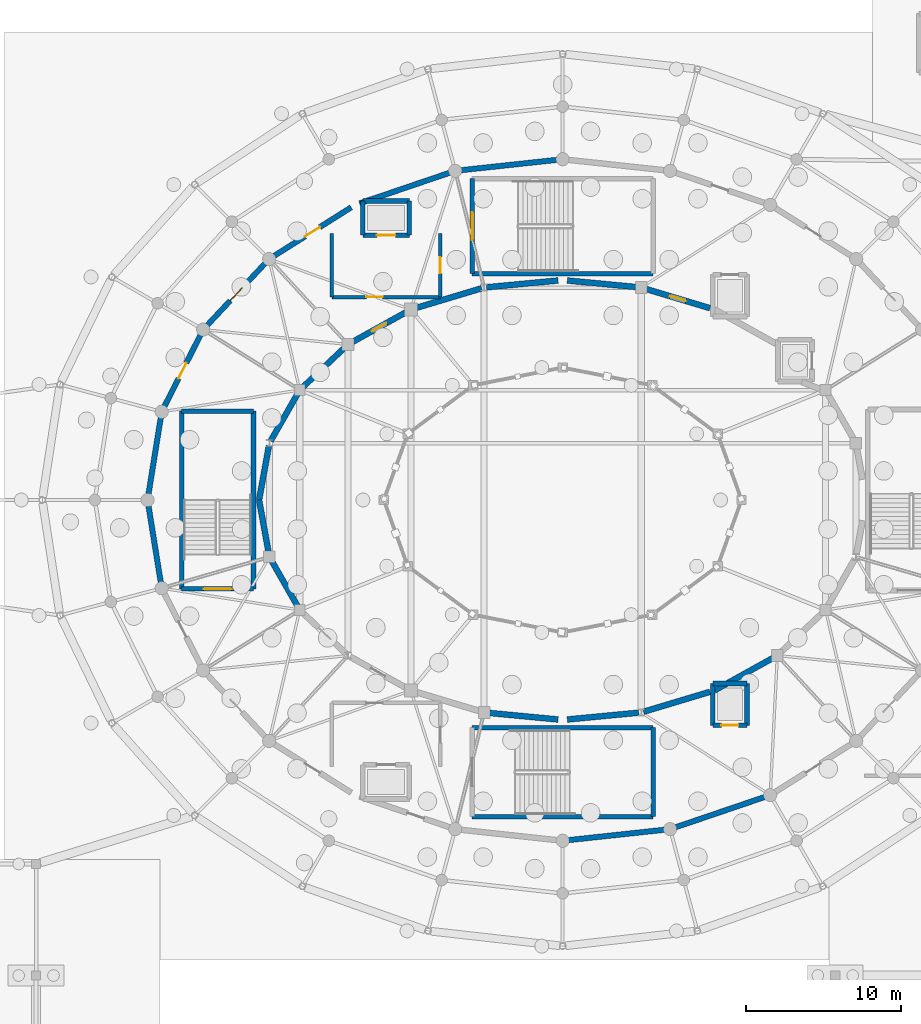
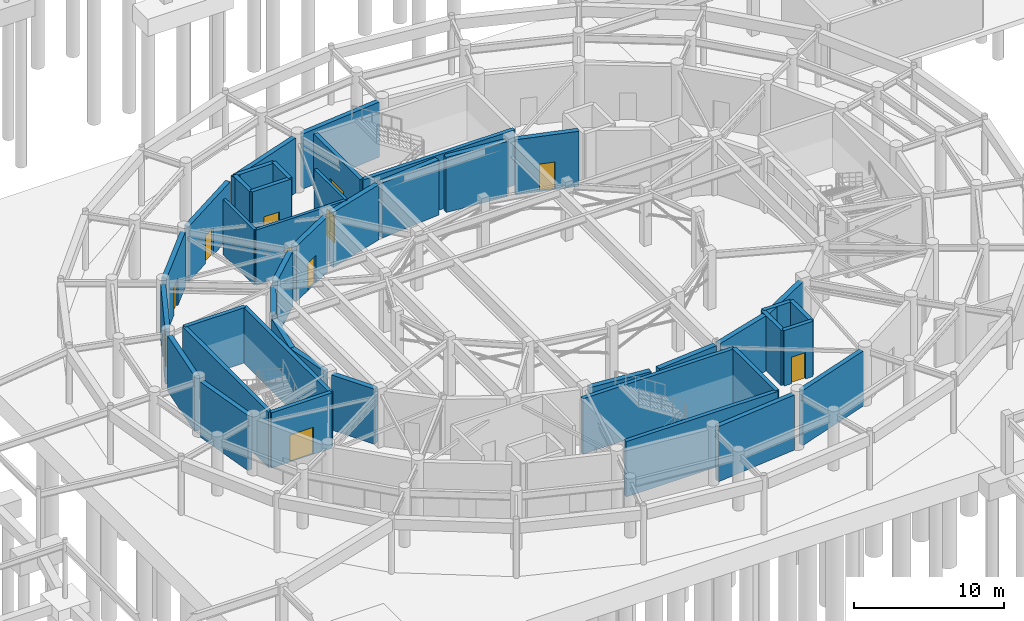
# One storey, part 38 of 68: 43 walls, 11 doors, 11 openings.
"""IFC4 building model written with IfcOpenShell, lengths in metres."""

from ifc_helpers import new_model, si_unit, direction, frame, frame_2d, origin, place, context, subcontext, project, spatial, rectangle, extrude, material, layer, layer_set, type_object, element, fill, save


model = new_model("IFC4")

# Units and contexts
model_context = context("Model", 3, precision=1e-05, world=origin(), true_north=direction((0.0, 1.0)))
body_context = subcontext(model_context, "Body", "Model", "MODEL_VIEW")
ifc_project = project(units=[si_unit("LENGTHUNIT", "METRE"), si_unit("AREAUNIT", "SQUARE_METRE"), si_unit("VOLUMEUNIT", "CUBIC_METRE"), si_unit("PLANEANGLEUNIT", "RADIAN"), si_unit("MASSUNIT", "GRAM", prefix="KILO")], contexts=[model_context])

# Site, building, storey
site_placement = place(None, origin())
site = spatial("IfcSite", under=ifc_project, at=site_placement, CompositionType="ELEMENT")
building_placement = place(site_placement, origin())
building = spatial("IfcBuilding", under=site, at=building_placement, Name="Cinderbank Siding Concert Hall", CompositionType="ELEMENT")
storey_placement = place(building_placement, frame((0.0, 0.0, -4.800048828125)))
storey = spatial("IfcBuildingStorey", under=building, at=storey_placement, Name="B1", CompositionType="ELEMENT", Elevation=-4.800048828125)

# Wall, opening, door
ifc_material_1 = material(Name="Reinforced concrete AS 3600 N50 (50 MPa)", Category="concrete")
ifc_layer_1 = layer(ifc_material_1, 0.3798828125)
ifc_layer_set_1 = layer_set([ifc_layer_1], Name="Reinforced concrete AS 3600 N50 (50 MPa)")
wall_type_1 = type_object("IfcWallType", Name="WL-01 Structural Wall 380mm", PredefinedType="SOLIDWALL", material=ifc_layer_set_1)
wall_1_placement = place(storey_placement, frame((131.5126953125, 56.3837890625, 0.0), z_axis=(0.0, 0.0, 1.0), x_axis=(-0.95780608713, 0.287415203941, 0.0)))
wall_1 = element("IfcWall", 1, at=wall_1_placement, inside=storey, type_object=wall_type_1, Name="B1 Structural Wall SW-E1-B1-05", PredefinedType="SOLIDWALL", context=body_context, shape_type="SweptSolid", body=[
    extrude(rectangle(XDim=4.325439453125, YDim=0.3798828125, at=frame_2d((2.16259765625, 0.0))), origin(), (0.0, 0.0, 1.0), 4.47998046875),
])
opening_1_placement = place(wall_1_placement, frame((1.6328125, 0.0, 0.0)))
opening_1 = element("IfcOpeningElement", 2, at=opening_1_placement, cuts=wall_1, Name="Opening D-18", PredefinedType="OPENING", context=body_context, shape_type="SweptSolid", body=[
    extrude(rectangle(XDim=1.06005859375, YDim=2.239990234375, at=frame_2d((0.530029296875, 1.1201171875))), frame((0.0, 0.201904296875, 0.0), z_axis=(0.0, -1.0, 0.0), x_axis=(1.0, 0.0, 0.0)), (0.0, 0.0, 1.0), 0.40380859375),
])
ifc_material_2 = material(Name="Solid-core spotted gum acoustic timber", Category="wood")
door_type_1 = type_object("IfcDoorType", Name="D-18 Interior Door 1060x2240", OperationType="NOTDEFINED", PredefinedType="DOOR", material=ifc_material_2)
door_1_placement = place(opening_1_placement, origin())
door_1 = element("IfcDoor", 3, at=door_1_placement, inside=storey, type_object=door_type_1, Name="B1 Auditorium Sound-Lock Door B1-D101", OperationType="SINGLE_SWING_RIGHT", OverallHeight=2.239990234375, OverallWidth=1.06005859375, PredefinedType="DOOR", context=body_context, shape_type="SweptSolid", body=[
    extrude(rectangle(XDim=1.06005859375, YDim=2.239990234375, at=frame_2d((0.530029296875, 1.1201171875))), frame((0.0, 0.02490234375, 0.0), z_axis=(0.0, -1.0, 0.0), x_axis=(1.0, 0.0, 0.0)), (0.0, 0.0, 1.0), 0.050048828125),
])
fill(opening_1, door_1)

# Walls
wall_2_placement = place(storey_placement, frame((126.764404296875, 57.74560546875, 0.0), z_axis=(0.0, 0.0, 1.0), x_axis=(-0.995485683578, 0.094911821133, 0.0)))
element("IfcWall", 4, at=wall_2_placement, inside=storey, type_object=wall_type_1, Name="B1 Structural Wall SW-E1-B1-06", PredefinedType="SOLIDWALL", context=body_context, shape_type="SweptSolid", body=[
    extrude(rectangle(XDim=4.486083984375, YDim=0.3798828125, at=frame_2d((2.2431640625, 0.0))), origin(), (0.0, 0.0, 1.0), 4.47998046875),
])
wall_3_placement = place(storey_placement, frame((121.701416015625, 58.17138671875, 0.0), z_axis=(0.0, 0.0, 1.0), x_axis=(-0.995481971411, -0.094950748265, 0.0)))
element("IfcWall", 5, at=wall_3_placement, inside=storey, type_object=wall_type_1, Name="B1 Structural Wall SW-E1-B1-07", PredefinedType="SOLIDWALL", context=body_context, shape_type="SweptSolid", body=[
    extrude(rectangle(XDim=4.635986328125, YDim=0.3798828125, at=frame_2d((2.31787109375, 0.0))), origin(), (0.0, 0.0, 1.0), 4.47998046875),
])
wall_4_placement = place(storey_placement, frame((116.77392578125, 57.670166015625, 0.0), z_axis=(0.0, 0.0, 1.0), x_axis=(-0.957804976592, -0.287418904764, 0.0)))
element("IfcWall", 6, at=wall_4_placement, inside=storey, type_object=wall_type_1, Name="B1 Structural Wall SW-E1-B1-08", PredefinedType="SOLIDWALL", context=body_context, shape_type="SweptSolid", body=[
    extrude(rectangle(XDim=4.415283203125, YDim=0.3798828125, at=frame_2d((2.20751953125, 0.0))), origin(), (0.0, 0.0, 1.0), 4.47998046875),
])

# Wall, opening, door
wall_5_placement = place(storey_placement, frame((111.885498046875, 56.122802734375, 0.0), z_axis=(0.0, 0.0, 1.0), x_axis=(-0.874000773635, -0.485924528795, 0.0)))
wall_5 = element("IfcWall", 7, at=wall_5_placement, inside=storey, type_object=wall_type_1, Name="B1 Structural Wall SW-E1-B1-09", PredefinedType="SOLIDWALL", context=body_context, shape_type="SweptSolid", body=[
    extrude(rectangle(XDim=3.974609375, YDim=0.3798828125, at=frame_2d((1.9873046875, 0.0))), origin(), (0.0, 0.0, 1.0), 4.47998046875),
])
opening_2_placement = place(wall_5_placement, frame((1.457275390625, 0.0, 0.0)))
opening_2 = element("IfcOpeningElement", 8, at=opening_2_placement, cuts=wall_5, Name="Opening D-18", PredefinedType="OPENING", context=body_context, shape_type="SweptSolid", body=[
    extrude(rectangle(XDim=1.06005859375, YDim=2.239990234375, at=frame_2d((0.530029296875, 1.1201171875))), frame((0.0, 0.201904296875, 0.0), z_axis=(0.0, -1.0, 0.0), x_axis=(1.0, 0.0, 0.0)), (0.0, 0.0, 1.0), 0.40380859375),
])
door_2_placement = place(opening_2_placement, origin())
door_2 = element("IfcDoor", 9, at=door_2_placement, inside=storey, type_object=door_type_1, Name="B1 Auditorium Sound-Lock Door B1-D102", OperationType="SINGLE_SWING_LEFT", OverallHeight=2.239990234375, OverallWidth=1.06005859375, PredefinedType="DOOR", context=body_context, shape_type="SweptSolid", body=[
    extrude(rectangle(XDim=1.06005859375, YDim=2.239990234375, at=frame_2d((0.530029296875, 1.1201171875))), frame((0.0, 0.02490234375, 0.0), z_axis=(0.0, -1.0, 0.0), x_axis=(1.0, 0.0, 0.0)), (0.0, 0.0, 1.0), 0.050048828125),
])
fill(opening_2, door_2)

# Walls
wall_6_placement = place(storey_placement, frame((107.915283203125, 53.828125, 0.0), z_axis=(0.0, 0.0, 1.0), x_axis=(-0.727101248405, -0.68653024301, 0.0)))
element("IfcWall", 10, at=wall_6_placement, inside=storey, type_object=wall_type_1, Name="B1 Structural Wall SW-E1-B1-10", PredefinedType="SOLIDWALL", context=body_context, shape_type="SweptSolid", body=[
    extrude(rectangle(XDim=3.688720703125, YDim=0.3798828125, at=frame_2d((1.84423828125, 0.0))), origin(), (0.0, 0.0, 1.0), 4.47998046875),
])
wall_7_placement = place(storey_placement, frame((104.884521484375, 50.8525390625, 0.0), z_axis=(0.0, 0.0, 1.0), x_axis=(-0.496379307123, -0.8681057444, 0.0)))
element("IfcWall", 11, at=wall_7_placement, inside=storey, type_object=wall_type_1, Name="B1 Structural Wall SW-E1-B1-11", PredefinedType="SOLIDWALL", context=body_context, shape_type="SweptSolid", body=[
    extrude(rectangle(XDim=3.5, YDim=0.3798828125, at=frame_2d((1.75, 0.0))), origin(), (0.0, 0.0, 1.0), 4.47998046875),
])
wall_8_placement = place(storey_placement, frame((103.039306640625, 47.517822265625, 0.0), z_axis=(0.0, 0.0, 1.0), x_axis=(-0.178831358344, -0.983879741266, 0.0)))
element("IfcWall", 12, at=wall_8_placement, inside=storey, type_object=wall_type_1, Name="B1 Structural Wall SW-E1-B1-12", PredefinedType="SOLIDWALL", context=body_context, shape_type="SweptSolid", body=[
    extrude(rectangle(XDim=3.575439453125, YDim=0.3798828125, at=frame_2d((1.78759765625, 0.0))), origin(), (0.0, 0.0, 1.0), 4.47998046875),
])
wall_9_placement = place(storey_placement, frame((102.39990234375, 44.0, 0.0), z_axis=(0.0, 0.0, 1.0), x_axis=(0.178828988101, -0.983880172081, 0.0)))
element("IfcWall", 13, at=wall_9_placement, inside=storey, type_object=wall_type_1, Name="B1 Structural Wall SW-E1-B1-13", PredefinedType="SOLIDWALL", context=body_context, shape_type="SweptSolid", body=[
    extrude(rectangle(XDim=3.42529296875, YDim=0.3798828125, at=frame_2d((1.712646484375, 0.0))), origin(), (0.0, 0.0, 1.0), 4.47998046875),
])
wall_10_placement = place(storey_placement, frame((103.2216796875, 40.0556640625, 0.0), z_axis=(0.0, 0.0, 1.0), x_axis=(0.496366522372, -0.868113054543, 0.0)))
element("IfcWall", 14, at=wall_10_placement, inside=storey, type_object=wall_type_1, Name="B1 Structural Wall SW-E1-B1-14", PredefinedType="SOLIDWALL", context=body_context, shape_type="SweptSolid", body=[
    extrude(rectangle(XDim=3.35009765625, YDim=0.3798828125, at=frame_2d((1.675048828125, 0.0))), origin(), (0.0, 0.0, 1.0), 4.47998046875),
])
wall_11_placement = place(storey_placement, frame((117.235595703125, 30.25439453125, 0.0), z_axis=(0.0, 0.0, 1.0), x_axis=(0.995485683578, -0.094911821133, 0.0)))
element("IfcWall", 15, at=wall_11_placement, inside=storey, type_object=wall_type_1, Name="B1 Structural Wall SW-E1-B1-18", PredefinedType="SOLIDWALL", context=body_context, shape_type="SweptSolid", body=[
    extrude(rectangle(XDim=4.486083984375, YDim=0.3798828125, at=frame_2d((2.2431640625, 0.0))), origin(), (0.0, 0.0, 1.0), 4.47998046875),
])
wall_12_placement = place(storey_placement, frame((122.298583984375, 29.82861328125, 0.0), z_axis=(0.0, 0.0, 1.0), x_axis=(0.995481971411, 0.094950748265, 0.0)))
element("IfcWall", 16, at=wall_12_placement, inside=storey, type_object=wall_type_1, Name="B1 Structural Wall SW-E1-B1-19", PredefinedType="SOLIDWALL", context=body_context, shape_type="SweptSolid", body=[
    extrude(rectangle(XDim=4.635986328125, YDim=0.3798828125, at=frame_2d((2.31787109375, 0.0))), origin(), (0.0, 0.0, 1.0), 4.47998046875),
])
wall_13_placement = place(storey_placement, frame((127.22607421875, 30.329833984375, 0.0), z_axis=(0.0, 0.0, 1.0), x_axis=(0.957802259521, 0.287427959074, 0.0)))
element("IfcWall", 17, at=wall_13_placement, inside=storey, type_object=wall_type_1, Name="B1 Structural Wall SW-E1-B1-20", PredefinedType="SOLIDWALL", context=body_context, shape_type="SweptSolid", body=[
    extrude(rectangle(XDim=4.4755859375, YDim=0.3798828125, at=frame_2d((2.23779296875, 0.0))), origin(), (0.0, 0.0, 1.0), 4.47998046875),
])
wall_14_placement = place(storey_placement, frame((131.800048828125, 31.702392578125, 0.0), z_axis=(0.0, 0.0, 1.0), x_axis=(0.874003133987, 0.48592028336, 0.0)))
element("IfcWall", 18, at=wall_14_placement, inside=storey, type_object=wall_type_1, Name="B1 Structural Wall SW-E1-B1-21", PredefinedType="SOLIDWALL", context=body_context, shape_type="SweptSolid", body=[
    extrude(rectangle(XDim=4.33447265625, YDim=0.3798828125, at=frame_2d((2.167236328125, 0.0))), origin(), (0.0, 0.0, 1.0), 4.47998046875),
])
ifc_layer_2 = layer(ifc_material_1, 0.35009765625)
ifc_layer_set_2 = layer_set([ifc_layer_2], Name="Reinforced concrete AS 3600 N50 (50 MPa)")
wall_type_2 = type_object("IfcWallType", Name="WL-02 Structural Wall 350mm", PredefinedType="SHEAR", material=ifc_layer_set_2)
wall_15_placement = place(storey_placement, frame((121.64208984375, 65.961181640625, 0.0), z_axis=(0.0, 0.0, 1.0), x_axis=(-0.994213694453, -0.107420341477, 0.0)))
element("IfcWall", 19, at=wall_15_placement, inside=storey, type_object=wall_type_2, Name="B1 Structural Wall SW-E2-B1-07", PredefinedType="SHEAR", context=body_context, shape_type="SweptSolid", body=[
    extrude(rectangle(XDim=6.2568359375, YDim=0.35009765625, at=frame_2d((3.12841796875, 0.0))), origin(), (0.0, 0.0, 1.0), 4.47998046875),
])
wall_16_placement = place(storey_placement, frame((114.722900390625, 65.134521484375, 0.0), z_axis=(0.0, 0.0, 1.0), x_axis=(-0.946765988255, -0.321922604804, 0.0)))
element("IfcWall", 20, at=wall_16_placement, inside=storey, type_object=wall_type_2, Name="B1 Structural Wall SW-E2-B1-08", PredefinedType="SHEAR", context=body_context, shape_type="SweptSolid", body=[
    extrude(rectangle(XDim=6.167236328125, YDim=0.35009765625, at=frame_2d((3.08349609375, 0.0))), origin(), (0.0, 0.0, 1.0), 4.47998046875),
])

# Wall, opening, door
wall_17_placement = place(storey_placement, frame((108.34619140625, 62.892578125, 0.0), z_axis=(0.0, 0.0, 1.0), x_axis=(-0.846151979506, -0.532941673712, 0.0)))
wall_17 = element("IfcWall", 21, at=wall_17_placement, inside=storey, type_object=wall_type_2, Name="B1 Structural Wall SW-E2-B1-09", PredefinedType="SHEAR", context=body_context, shape_type="SweptSolid", body=[
    extrude(rectangle(XDim=5.89990234375, YDim=0.35009765625, at=frame_2d((2.949951171875, 0.0))), origin(), (0.0, 0.0, 1.0), 4.47998046875),
])
opening_3_placement = place(wall_17_placement, frame((2.389892578125, 0.0, 0.0)))
opening_3 = element("IfcOpeningElement", 22, at=opening_3_placement, cuts=wall_17, Name="Opening D-19", PredefinedType="OPENING", context=body_context, shape_type="SweptSolid", body=[
    extrude(rectangle(XDim=1.1201171875, YDim=2.260009765625, at=frame_2d((0.56005859375, 1.1298828125))), frame((0.0, 0.18701171875, 0.0), z_axis=(0.0, -1.0, 0.0), x_axis=(1.0, 0.0, 0.0)), (0.0, 0.0, 1.0), 0.3740234375),
])
door_type_2 = type_object("IfcDoorType", Name="D-19 Interior Door 1120x2260", OperationType="NOTDEFINED", PredefinedType="DOOR", material=ifc_material_2)
door_3_placement = place(opening_3_placement, origin())
door_3 = element("IfcDoor", 23, at=door_3_placement, inside=storey, type_object=door_type_2, Name="B1 Auditorium Sound-Lock Door B1-D109", OperationType="SINGLE_SWING_RIGHT", OverallHeight=2.260009765625, OverallWidth=1.1201171875, PredefinedType="DOOR", context=body_context, shape_type="SweptSolid", body=[
    extrude(rectangle(XDim=1.1201171875, YDim=2.260009765625, at=frame_2d((0.56005859375, 1.1298828125))), frame((0.0, 0.02490234375, 0.0), z_axis=(0.0, -1.0, 0.0), x_axis=(1.0, 0.0, 0.0)), (0.0, 0.0, 1.0), 0.050048828125),
])
fill(opening_3, door_3)

wall_18_placement = place(storey_placement, frame((102.8037109375, 59.293212890625, 0.0), z_axis=(0.0, 0.0, 1.0), x_axis=(-0.682874636689, -0.730535577893, 0.0)))
wall_18 = element("IfcWall", 24, at=wall_18_placement, inside=storey, type_object=wall_type_2, Name="B1 Structural Wall SW-E2-B1-10", PredefinedType="SHEAR", context=body_context, shape_type="SweptSolid", body=[
    extrude(rectangle(XDim=5.516845703125, YDim=0.35009765625, at=frame_2d((2.75830078125, 0.0))), origin(), (0.0, 0.0, 1.0), 4.47998046875),
])
opening_4_placement = place(wall_18_placement, frame((2.198486328125, 0.0, 0.0)))
opening_4 = element("IfcOpeningElement", 25, at=opening_4_placement, cuts=wall_18, Name="Opening D-19", PredefinedType="OPENING", context=body_context, shape_type="SweptSolid", body=[
    extrude(rectangle(XDim=1.1201171875, YDim=2.260009765625, at=frame_2d((0.56005859375, 1.1298828125))), frame((0.0, 0.18701171875, 0.0), z_axis=(0.0, -1.0, 0.0), x_axis=(1.0, 0.0, 0.0)), (0.0, 0.0, 1.0), 0.3740234375),
])
door_4_placement = place(opening_4_placement, origin())
door_4 = element("IfcDoor", 26, at=door_4_placement, inside=storey, type_object=door_type_2, Name="B1 Auditorium Sound-Lock Door B1-D110", OperationType="SINGLE_SWING_LEFT", OverallHeight=2.260009765625, OverallWidth=1.1201171875, PredefinedType="DOOR", context=body_context, shape_type="SweptSolid", body=[
    extrude(rectangle(XDim=1.1201171875, YDim=2.260009765625, at=frame_2d((0.56005859375, 1.1298828125))), frame((0.0, 0.02490234375, 0.0), z_axis=(0.0, -1.0, 0.0), x_axis=(1.0, 0.0, 0.0)), (0.0, 0.0, 1.0), 0.050048828125),
])
fill(opening_4, door_4)

wall_19_placement = place(storey_placement, frame((98.62841796875, 54.6787109375, 0.0), z_axis=(0.0, 0.0, 1.0), x_axis=(-0.450482420117, -0.892785298471, 0.0)))
wall_19 = element("IfcWall", 27, at=wall_19_placement, inside=storey, type_object=wall_type_2, Name="B1 Structural Wall SW-E2-B1-11", PredefinedType="SHEAR", context=body_context, shape_type="SweptSolid", body=[
    extrude(rectangle(XDim=5.223388671875, YDim=0.35009765625, at=frame_2d((2.61181640625, 0.0))), origin(), (0.0, 0.0, 1.0), 4.47998046875),
])
opening_5_placement = place(wall_19_placement, frame((2.051513671875, 0.0, 0.0)))
opening_5 = element("IfcOpeningElement", 28, at=opening_5_placement, cuts=wall_19, Name="Opening D-19", PredefinedType="OPENING", context=body_context, shape_type="SweptSolid", body=[
    extrude(rectangle(XDim=1.1201171875, YDim=2.260009765625, at=frame_2d((0.56005859375, 1.1298828125))), frame((0.0, 0.18701171875, 0.0), z_axis=(0.0, -1.0, 0.0), x_axis=(1.0, 0.0, 0.0)), (0.0, 0.0, 1.0), 0.3740234375),
])
door_5_placement = place(opening_5_placement, origin())
door_5 = element("IfcDoor", 29, at=door_5_placement, inside=storey, type_object=door_type_2, Name="B1 Auditorium Sound-Lock Door B1-D111", OperationType="SINGLE_SWING_RIGHT", OverallHeight=2.260009765625, OverallWidth=1.1201171875, PredefinedType="DOOR", context=body_context, shape_type="SweptSolid", body=[
    extrude(rectangle(XDim=1.1201171875, YDim=2.260009765625, at=frame_2d((0.56005859375, 1.1298828125))), frame((0.0, 0.02490234375, 0.0), z_axis=(0.0, -1.0, 0.0), x_axis=(1.0, 0.0, 0.0)), (0.0, 0.0, 1.0), 0.050048828125),
])
fill(opening_5, door_5)

# Walls
for number, where, z_axis, x_axis, name in (
    (30, (96.05615234375, 49.33837890625, 0.0), (0.0, 0.0, 1.0), (-0.158339548841, -0.987384721004, 0.0), "B1 Structural Wall SW-E2-B1-12"),
    (31, (95.257080078125, 43.64453125, 0.0), (0.0, 0.0, 1.0), (0.158339548841, -0.987384721004, 0.0), "B1 Structural Wall SW-E2-B1-13"),
):
    element("IfcWall", number, at=place(storey_placement, frame(where, z_axis=z_axis, x_axis=x_axis)), inside=storey, type_object=wall_type_2, Name=name, PredefinedType="SHEAR", context=body_context, shape_type="SweptSolid", body=[
        extrude(rectangle(XDim=5.046630859375, YDim=0.35009765625, at=frame_2d((2.5234375, 0.0))), origin(), (0.0, 0.0, 1.0), 4.47998046875),
    ])
wall_20_placement = place(storey_placement, frame((122.35791015625, 22.038818359375, 0.0), z_axis=(0.0, 0.0, 1.0), x_axis=(0.994213694453, 0.107420341477, 0.0)))
element("IfcWall", 32, at=wall_20_placement, inside=storey, type_object=wall_type_2, Name="B1 Structural Wall SW-E2-B1-19", PredefinedType="SHEAR", context=body_context, shape_type="SweptSolid", body=[
    extrude(rectangle(XDim=6.2568359375, YDim=0.35009765625, at=frame_2d((3.12841796875, 0.0))), origin(), (0.0, 0.0, 1.0), 4.47998046875),
])
wall_21_placement = place(storey_placement, frame((129.277099609375, 22.865478515625, 0.0), z_axis=(0.0, 0.0, 1.0), x_axis=(0.946763241211, 0.321930683675, 0.0)))
element("IfcWall", 33, at=wall_21_placement, inside=storey, type_object=wall_type_2, Name="B1 Structural Wall SW-E2-B1-20", PredefinedType="SHEAR", context=body_context, shape_type="SweptSolid", body=[
    extrude(rectangle(XDim=6.107177734375, YDim=0.35009765625, at=frame_2d((3.0537109375, 0.0))), origin(), (0.0, 0.0, 1.0), 4.47998046875),
])

# Wall, opening, door
ifc_layer_3 = layer(ifc_material_1, 0.300048828125)
ifc_layer_set_3 = layer_set([ifc_layer_3], Name="Reinforced concrete AS 3600 N50 (50 MPa)")
wall_type_3 = type_object("IfcWallType", Name="WL-03 Structural Wall 300mm", PredefinedType="SHEAR", material=ifc_layer_set_3)
wall_22_placement = place(storey_placement, frame((116.159912109375, 58.610107421875, 0.0), z_axis=(0.0, 0.0, 1.0), x_axis=(0.0, 1.0, 0.0)))
wall_22 = element("IfcWall", 34, at=wall_22_placement, inside=storey, type_object=wall_type_3, Name="B1 ST-01 Core Wall ENTRY", PredefinedType="SHEAR", context=body_context, shape_type="SweptSolid", body=[
    extrude(rectangle(XDim=6.139892578125, YDim=0.300048828125, at=frame_2d((3.06982421875, 0.0))), origin(), (0.0, 0.0, 1.0), 4.5),
])
opening_6_placement = place(wall_22_placement, frame((2.169921875, 0.0, 0.0)))
opening_6 = element("IfcOpeningElement", 35, at=opening_6_placement, cuts=wall_22, Name="Opening D-05", PredefinedType="OPENING", context=body_context, shape_type="SweptSolid", body=[
    extrude(rectangle(XDim=1.800048828125, YDim=2.199951171875, at=frame_2d((0.89990234375, 1.10009765625))), frame((0.0, 0.162109375, 0.0), z_axis=(0.0, -1.0, 0.0), x_axis=(1.0, 0.0, 0.0)), (0.0, 0.0, 1.0), 0.323974609375),
])
ifc_material_3 = material(Name="Galvanised sheet steel acoustic fire door assembly", Category="steel")
door_type_3 = type_object("IfcDoorType", Name="D-05 Interior Door 1800x2200", OperationType="DOUBLE_DOOR_SINGLE_SWING", PredefinedType="DOOR", material=ifc_material_3)
door_6_placement = place(opening_6_placement, origin())
door_6 = element("IfcDoor", 36, at=door_6_placement, inside=storey, type_object=door_type_3, Name="B1 ST-01 Fire Stair Door B1-D001", OperationType="DOUBLE_DOOR_SINGLE_SWING", OverallHeight=2.199951171875, OverallWidth=1.800048828125, PredefinedType="DOOR", context=body_context, shape_type="SweptSolid", body=[
    extrude(rectangle(XDim=1.800048828125, YDim=2.199951171875, at=frame_2d((0.89990234375, 1.10009765625))), frame((0.0, 0.02490234375, 0.0), z_axis=(0.0, -1.0, 0.0), x_axis=(1.0, 0.0, 0.0)), (0.0, 0.0, 1.0), 0.050048828125),
])
fill(opening_6, door_6)

# Walls
wall_23_placement = place(storey_placement, frame((127.840087890625, 58.610107421875, 0.0), z_axis=(0.0, 0.0, 1.0), x_axis=(-1.0, 0.0, 0.0)))
element("IfcWall", 37, at=wall_23_placement, inside=storey, type_object=wall_type_3, Name="B1 ST-01 Core Wall SIDE1", PredefinedType="SHEAR", context=body_context, shape_type="SweptSolid", body=[
    extrude(rectangle(XDim=11.68017578125, YDim=0.300048828125, at=frame_2d((5.840087890625, 0.0))), origin(), (0.0, 0.0, 1.0), 4.5),
])
wall_24_placement = place(storey_placement, frame((127.840087890625, 29.300048828125, 0.0), z_axis=(0.0, 0.0, 1.0), x_axis=(0.0, -1.0, 0.0)))
element("IfcWall", 38, at=wall_24_placement, inside=storey, type_object=wall_type_3, Name="B1 ST-02 Core Wall FAR", PredefinedType="SHEAR", context=body_context, shape_type="SweptSolid", body=[
    extrude(rectangle(XDim=5.739990234375, YDim=0.300048828125, at=frame_2d((2.8701171875, 0.0))), origin(), (0.0, 0.0, 1.0), 4.5),
])
for number, where, z_axis, x_axis, name in (
    (39, (127.840087890625, 23.56005859375, 0.0), (0.0, 0.0, 1.0), (-1.0, 0.0, 0.0), "B1 ST-02 Core Wall SIDE1"),
    (40, (116.159912109375, 29.300048828125, 0.0), (0.0, 0.0, 1.0), (1.0, 0.0, 0.0), "B1 ST-02 Core Wall SIDE2"),
):
    element("IfcWall", number, at=place(storey_placement, frame(where, z_axis=z_axis, x_axis=x_axis)), inside=storey, type_object=wall_type_3, Name=name, PredefinedType="SHEAR", context=body_context, shape_type="SweptSolid", body=[
        extrude(rectangle(XDim=11.68017578125, YDim=0.300048828125, at=frame_2d((5.840087890625, 0.0))), origin(), (0.0, 0.0, 1.0), 4.5),
    ])

# Wall, opening, door
wall_25_placement = place(storey_placement, frame((102.0400390625, 38.260009765625, 0.0), z_axis=(0.0, 0.0, 1.0), x_axis=(-1.0, 0.0, 0.0)))
wall_25 = element("IfcWall", 41, at=wall_25_placement, inside=storey, type_object=wall_type_3, Name="B1 ST-04 Core Wall ENTRY", PredefinedType="SHEAR", context=body_context, shape_type="SweptSolid", body=[
    extrude(rectangle(XDim=4.64013671875, YDim=0.300048828125, at=frame_2d((2.320068359375, 0.0))), origin(), (0.0, 0.0, 1.0), 4.5),
])
opening_7_placement = place(wall_25_placement, frame((1.419921875, 0.0, 0.0)))
opening_7 = element("IfcOpeningElement", 42, at=opening_7_placement, cuts=wall_25, Name="Opening D-05", PredefinedType="OPENING", context=body_context, shape_type="SweptSolid", body=[
    extrude(rectangle(XDim=1.800048828125, YDim=2.199951171875, at=frame_2d((0.89990234375, 1.10009765625))), frame((0.0, 0.162109375, 0.0), z_axis=(0.0, -1.0, 0.0), x_axis=(1.0, 0.0, 0.0)), (0.0, 0.0, 1.0), 0.323974609375),
])
door_7_placement = place(opening_7_placement, origin())
door_7 = element("IfcDoor", 43, at=door_7_placement, inside=storey, type_object=door_type_3, Name="B1 ST-04 Fire Stair Door B1-D022", OperationType="DOUBLE_DOOR_SINGLE_SWING", OverallHeight=2.199951171875, OverallWidth=1.800048828125, PredefinedType="DOOR", context=body_context, shape_type="SweptSolid", body=[
    extrude(rectangle(XDim=1.800048828125, YDim=2.199951171875, at=frame_2d((0.89990234375, 1.10009765625))), frame((0.0, 0.02490234375, 0.0), z_axis=(0.0, -1.0, 0.0), x_axis=(1.0, 0.0, 0.0)), (0.0, 0.0, 1.0), 0.050048828125),
])
fill(opening_7, door_7)

# Walls
wall_26_placement = place(storey_placement, frame((97.39990234375, 49.739990234375, 0.0), z_axis=(0.0, 0.0, 1.0), x_axis=(1.0, 0.0, 0.0)))
element("IfcWall", 44, at=wall_26_placement, inside=storey, type_object=wall_type_3, Name="B1 ST-04 Core Wall FAR", PredefinedType="SHEAR", context=body_context, shape_type="SweptSolid", body=[
    extrude(rectangle(XDim=4.64013671875, YDim=0.300048828125, at=frame_2d((2.320068359375, 0.0))), origin(), (0.0, 0.0, 1.0), 4.5),
])
for number, where, z_axis, x_axis, name in (
    (45, (102.0400390625, 49.739990234375, 0.0), (0.0, 0.0, 1.0), (0.0, -1.0, 0.0), "B1 ST-04 Core Wall SIDE1"),
    (46, (97.39990234375, 38.260009765625, 0.0), (0.0, 0.0, 1.0), (0.0, 1.0, 0.0), "B1 ST-04 Core Wall SIDE2"),
):
    element("IfcWall", number, at=place(storey_placement, frame(where, z_axis=z_axis, x_axis=x_axis)), inside=storey, type_object=wall_type_3, Name=name, PredefinedType="SHEAR", context=body_context, shape_type="SweptSolid", body=[
        extrude(rectangle(XDim=11.47998046875, YDim=0.300048828125, at=frame_2d((5.739990234375, 0.0))), origin(), (0.0, 0.0, 1.0), 4.5),
    ])

# Wall, opening, door
wall_27_placement = place(storey_placement, frame((133.89990234375, 29.449951171875, 0.0), z_axis=(0.0, 0.0, 1.0), x_axis=(-1.0, 0.0, 0.0)))
wall_27 = element("IfcWall", 47, at=wall_27_placement, inside=storey, type_object=wall_type_3, Name="B1 LF-02 Shaft Wall -Y", PredefinedType="SHEAR", context=body_context, shape_type="SweptSolid", body=[
    extrude(rectangle(XDim=2.199951171875, YDim=0.300048828125, at=frame_2d((1.10009765625, 0.0))), origin(), (0.0, 0.0, 1.0), 4.5),
])
opening_8_placement = place(wall_27_placement, frame((0.550048828125, 0.0, 0.0)))
opening_8 = element("IfcOpeningElement", 48, at=opening_8_placement, cuts=wall_27, Name="Opening LD-01", PredefinedType="OPENING", context=body_context, shape_type="SweptSolid", body=[
    extrude(rectangle(XDim=1.10009765625, YDim=2.14990234375, at=frame_2d((0.550048828125, 1.074951171875))), frame((0.0, 0.162109375, 0.0), z_axis=(0.0, -1.0, 0.0), x_axis=(1.0, 0.0, 0.0)), (0.0, 0.0, 1.0), 0.323974609375),
])
door_type_4 = type_object("IfcDoorType", Name="LD-01 Interior Door 1100x2150", OperationType="DOUBLE_DOOR_SLIDING", PredefinedType="DOOR", material=ifc_material_3)
door_8_placement = place(opening_8_placement, origin())
door_8 = element("IfcDoor", 49, at=door_8_placement, inside=storey, type_object=door_type_4, Name="B1 LF-02 Sliding Landing Door", OperationType="DOUBLE_DOOR_SLIDING", OverallHeight=2.14990234375, OverallWidth=1.10009765625, PredefinedType="DOOR", context=body_context, shape_type="SweptSolid", body=[
    extrude(rectangle(XDim=1.10009765625, YDim=2.14990234375, at=frame_2d((0.550048828125, 1.074951171875))), frame((0.0, 0.02490234375, 0.0), z_axis=(0.0, -1.0, 0.0), x_axis=(1.0, 0.0, 0.0)), (0.0, 0.0, 1.0), 0.050048828125),
])
fill(opening_8, door_8)

# Walls
wall_28_placement = place(storey_placement, frame((133.89990234375, 32.14990234375, 0.0), z_axis=(0.0, 0.0, 1.0), x_axis=(0.0, -1.0, 0.0)))
element("IfcWall", 50, at=wall_28_placement, inside=storey, type_object=wall_type_3, Name="B1 LF-02 Shaft Wall +X", PredefinedType="SHEAR", context=body_context, shape_type="SweptSolid", body=[
    extrude(rectangle(XDim=2.699951171875, YDim=0.300048828125, at=frame_2d((1.35009765625, 0.0))), origin(), (0.0, 0.0, 1.0), 4.5),
])
wall_29_placement = place(storey_placement, frame((131.699951171875, 32.14990234375, 0.0), z_axis=(0.0, 0.0, 1.0), x_axis=(1.0, 0.0, 0.0)))
element("IfcWall", 51, at=wall_29_placement, inside=storey, type_object=wall_type_3, Name="B1 LF-02 Shaft Wall +Y", PredefinedType="SHEAR", context=body_context, shape_type="SweptSolid", body=[
    extrude(rectangle(XDim=2.199951171875, YDim=0.300048828125, at=frame_2d((1.10009765625, 0.0))), origin(), (0.0, 0.0, 1.0), 4.47998046875),
])
wall_30_placement = place(storey_placement, frame((131.699951171875, 29.449951171875, 0.0), z_axis=(0.0, 0.0, 1.0), x_axis=(0.0, 1.0, 0.0)))
element("IfcWall", 52, at=wall_30_placement, inside=storey, type_object=wall_type_3, Name="B1 LF-02 Shaft Wall -X", PredefinedType="SHEAR", context=body_context, shape_type="SweptSolid", body=[
    extrude(rectangle(XDim=2.699951171875, YDim=0.300048828125, at=frame_2d((1.35009765625, 0.0))), origin(), (0.0, 0.0, 1.0), 4.47998046875),
])

# Wall, opening, door
wall_31_placement = place(storey_placement, frame((112.10009765625, 61.10009765625, 0.0), z_axis=(0.0, 0.0, 1.0), x_axis=(-1.0, 0.0, 0.0)))
wall_31 = element("IfcWall", 53, at=wall_31_placement, inside=storey, type_object=wall_type_3, Name="B1 LF-04 Shaft Wall -Y", PredefinedType="SHEAR", context=body_context, shape_type="SweptSolid", body=[
    extrude(rectangle(XDim=3.0, YDim=0.300048828125, at=frame_2d((1.5, 0.0))), origin(), (0.0, 0.0, 1.0), 4.5),
])
opening_9_placement = place(wall_31_placement, frame((0.89990234375, 0.0, 0.0)))
opening_9 = element("IfcOpeningElement", 54, at=opening_9_placement, cuts=wall_31, Name="Opening LD-02", PredefinedType="OPENING", context=body_context, shape_type="SweptSolid", body=[
    extrude(rectangle(XDim=1.199951171875, YDim=2.14990234375, at=frame_2d((0.60009765625, 1.074951171875))), frame((0.0, 0.162109375, 0.0), z_axis=(0.0, -1.0, 0.0), x_axis=(1.0, 0.0, 0.0)), (0.0, 0.0, 1.0), 0.323974609375),
])
door_type_5 = type_object("IfcDoorType", Name="LD-02 Interior Door 1200x2150", OperationType="DOUBLE_DOOR_SLIDING", PredefinedType="DOOR", material=ifc_material_3)
door_9_placement = place(opening_9_placement, origin())
door_9 = element("IfcDoor", 55, at=door_9_placement, inside=storey, type_object=door_type_5, Name="B1 LF-04 Sliding Landing Door", OperationType="DOUBLE_DOOR_SLIDING", OverallHeight=2.14990234375, OverallWidth=1.199951171875, PredefinedType="DOOR", context=body_context, shape_type="SweptSolid", body=[
    extrude(rectangle(XDim=1.199951171875, YDim=2.14990234375, at=frame_2d((0.60009765625, 1.074951171875))), frame((0.0, 0.02490234375, 0.0), z_axis=(0.0, -1.0, 0.0), x_axis=(1.0, 0.0, 0.0)), (0.0, 0.0, 1.0), 0.050048828125),
])
fill(opening_9, door_9)

# Walls
wall_32_placement = place(storey_placement, frame((112.10009765625, 63.300048828125, 0.0), z_axis=(0.0, 0.0, 1.0), x_axis=(0.0, -1.0, 0.0)))
element("IfcWall", 56, at=wall_32_placement, inside=storey, type_object=wall_type_3, Name="B1 LF-04 Shaft Wall +X", PredefinedType="SHEAR", context=body_context, shape_type="SweptSolid", body=[
    extrude(rectangle(XDim=2.199951171875, YDim=0.300048828125, at=frame_2d((1.10009765625, 0.0))), origin(), (0.0, 0.0, 1.0), 4.5),
])
wall_33_placement = place(storey_placement, frame((109.10009765625, 63.300048828125, 0.0), z_axis=(0.0, 0.0, 1.0), x_axis=(1.0, 0.0, 0.0)))
element("IfcWall", 57, at=wall_33_placement, inside=storey, type_object=wall_type_3, Name="B1 LF-04 Shaft Wall +Y", PredefinedType="SHEAR", context=body_context, shape_type="SweptSolid", body=[
    extrude(rectangle(XDim=3.0, YDim=0.300048828125, at=frame_2d((1.5, 0.0))), origin(), (0.0, 0.0, 1.0), 4.47998046875),
])
wall_34_placement = place(storey_placement, frame((109.10009765625, 61.10009765625, 0.0), z_axis=(0.0, 0.0, 1.0), x_axis=(0.0, 1.0, 0.0)))
element("IfcWall", 58, at=wall_34_placement, inside=storey, type_object=wall_type_3, Name="B1 LF-04 Shaft Wall -X", PredefinedType="SHEAR", context=body_context, shape_type="SweptSolid", body=[
    extrude(rectangle(XDim=2.199951171875, YDim=0.300048828125, at=frame_2d((1.10009765625, 0.0))), origin(), (0.0, 0.0, 1.0), 4.47998046875),
])

# Wall, opening, door
ifc_layer_4 = layer(ifc_material_1, 0.219970703125)
ifc_layer_set_4 = layer_set([ifc_layer_4], Name="Reinforced concrete AS 3600 N50 (50 MPa)")
wall_type_4 = type_object("IfcWallType", Name="WL-06 Interior Wall 220mm", PredefinedType="SOLIDWALL", material=ifc_layer_set_4)
wall_35_placement = place(storey_placement, frame((114.10009765625, 57.10009765625, 0.0), z_axis=(0.0, 0.0, 1.0), x_axis=(-1.0, 0.0, 0.0)))
wall_35 = element("IfcWall", 59, at=wall_35_placement, inside=storey, type_object=wall_type_4, Name="B1 Firefighting Lobby Wall FFLN-S", PredefinedType="SOLIDWALL", context=body_context, shape_type="SweptSolid", body=[
    extrude(rectangle(XDim=7.0, YDim=0.219970703125, at=frame_2d((3.5, 0.0))), origin(), (0.0, 0.0, 1.0), 4.485107421875),
])
opening_10_placement = place(wall_35_placement, frame((3.72509765625, 0.0, 0.0)))
opening_10 = element("IfcOpeningElement", 60, at=opening_10_placement, cuts=wall_35, Name="Opening D-02", PredefinedType="OPENING", context=body_context, shape_type="SweptSolid", body=[
    extrude(rectangle(XDim=1.050048828125, YDim=2.14990234375, at=frame_2d((0.52490234375, 1.074951171875))), frame((0.0, 0.1220703125, 0.0), z_axis=(0.0, -1.0, 0.0), x_axis=(1.0, 0.0, 0.0)), (0.0, 0.0, 1.0), 0.243896484375),
])
door_type_6 = type_object("IfcDoorType", Name="D-02 Interior Door 1050x2150", OperationType="NOTDEFINED", PredefinedType="DOOR", material=ifc_material_3)
door_10_placement = place(opening_10_placement, origin())
door_10 = element("IfcDoor", 61, at=door_10_placement, inside=storey, type_object=door_type_6, Name="B1 Firefighting Lobby Door B1-D062", OperationType="SINGLE_SWING_LEFT", OverallHeight=2.14990234375, OverallWidth=1.050048828125, PredefinedType="DOOR", context=body_context, shape_type="SweptSolid", body=[
    extrude(rectangle(XDim=1.050048828125, YDim=2.14990234375, at=frame_2d((0.52490234375, 1.074951171875))), frame((0.0, 0.02490234375, 0.0), z_axis=(0.0, -1.0, 0.0), x_axis=(1.0, 0.0, 0.0)), (0.0, 0.0, 1.0), 0.050048828125),
])
fill(opening_10, door_10)

# Wall
wall_36_placement = place(storey_placement, frame((107.10009765625, 57.10009765625, 0.0), z_axis=(0.0, 0.0, 1.0), x_axis=(0.0, 1.0, 0.0)))
element("IfcWall", 62, at=wall_36_placement, inside=storey, type_object=wall_type_4, Name="B1 Firefighting Lobby Wall FFLN-W", PredefinedType="SOLIDWALL", context=body_context, shape_type="SweptSolid", body=[
    extrude(rectangle(XDim=4.099853515625, YDim=0.219970703125, at=frame_2d((2.0498046875, 0.0))), origin(), (0.0, 0.0, 1.0), 4.485107421875),
])

# Wall, opening, door
wall_37_placement = place(storey_placement, frame((114.10009765625, 61.199951171875, 0.0), z_axis=(0.0, 0.0, 1.0), x_axis=(0.0, -1.0, 0.0)))
wall_37 = element("IfcWall", 63, at=wall_37_placement, inside=storey, type_object=wall_type_4, Name="B1 Firefighting Lobby Wall FFLN-E", PredefinedType="SOLIDWALL", context=body_context, shape_type="SweptSolid", body=[
    extrude(rectangle(XDim=4.099853515625, YDim=0.219970703125, at=frame_2d((2.0498046875, 0.0))), origin(), (0.0, 0.0, 1.0), 4.485107421875),
])
opening_11_placement = place(wall_37_placement, frame((1.52490234375, 0.0, 0.0)))
opening_11 = element("IfcOpeningElement", 64, at=opening_11_placement, cuts=wall_37, Name="Opening D-02", PredefinedType="OPENING", context=body_context, shape_type="SweptSolid", body=[
    extrude(rectangle(XDim=1.050048828125, YDim=2.14990234375, at=frame_2d((0.52490234375, 1.074951171875))), frame((0.0, 0.1220703125, 0.0), z_axis=(0.0, -1.0, 0.0), x_axis=(1.0, 0.0, 0.0)), (0.0, 0.0, 1.0), 0.243896484375),
])
door_11_placement = place(opening_11_placement, origin())
door_11 = element("IfcDoor", 65, at=door_11_placement, inside=storey, type_object=door_type_6, Name="B1 Firefighting Lobby Door B1-D063", OperationType="SINGLE_SWING_RIGHT", OverallHeight=2.14990234375, OverallWidth=1.050048828125, PredefinedType="DOOR", context=body_context, shape_type="SweptSolid", body=[
    extrude(rectangle(XDim=1.050048828125, YDim=2.14990234375, at=frame_2d((0.52490234375, 1.074951171875))), frame((0.0, 0.02490234375, 0.0), z_axis=(0.0, -1.0, 0.0), x_axis=(1.0, 0.0, 0.0)), (0.0, 0.0, 1.0), 0.050048828125),
])
fill(opening_11, door_11)

save(model, "model.ifc")
